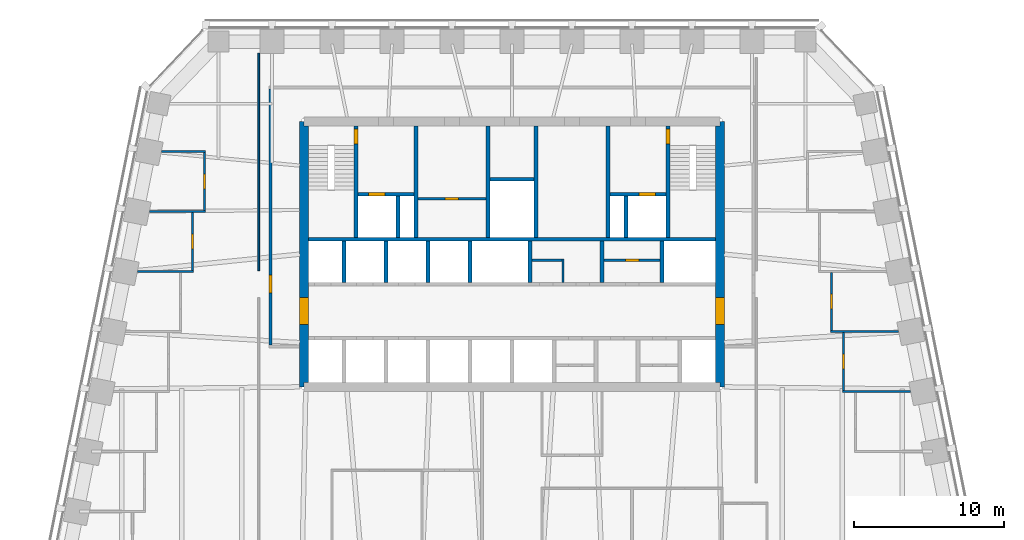
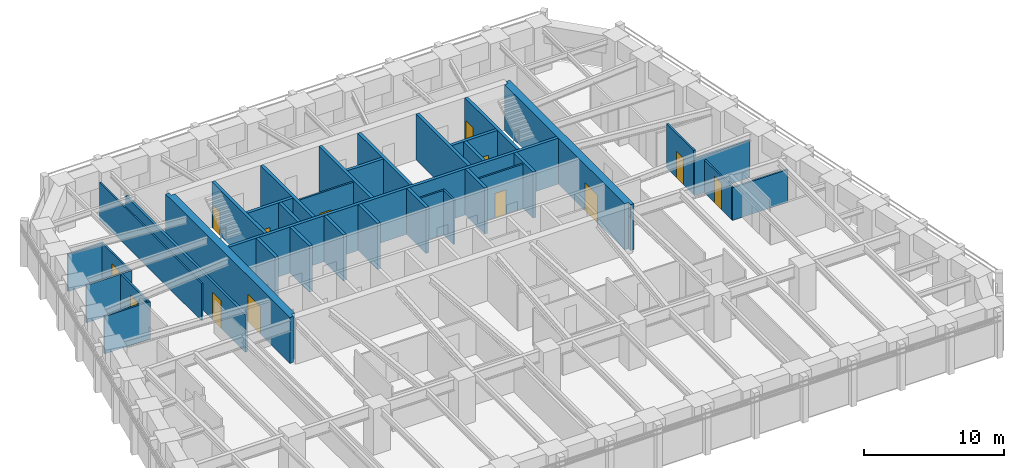
# One storey, part 7 of 10: 36 walls, 13 doors, 13 openings.
"""IFC4 building model written with IfcOpenShell, lengths in metres."""

import ifcopenshell
import ifcopenshell.guid

model = None  # the IFC model being written
_history = None  # IfcOwnerHistory: only IFC2X3 demands one
_inside = {}  # id of a spatial element -> (the spatial element, [elements in it])
_under = {}  # id of a project, library or spatial element -> (it, [spatial elements below it])
_declared = {}  # id of a project -> (the project, [libraries it declares])
_typed = {}  # id of a type object -> (the type object, [elements of that type])
_made_of = {}  # id of a material, layer set ... -> (it, [elements and type objects made of it])


def new_model(schema):
    """Start an empty IFC model of exactly this schema.

    Asked for "IFC4X3", IfcOpenShell would pick the latest addendum, in which some entities
    have other attributes; the version numbers below select the first issue.
    IFC2X3 requires an IfcOwnerHistory on every rooted entity: one is made here for all.
    """
    global model, _history
    if schema == "IFC4X3":
        model = ifcopenshell.file(schema_version=(4, 3, 0, 0))
    else:
        model = ifcopenshell.file(schema=schema)
    _inside.clear()
    _under.clear()
    _declared.clear()
    _typed.clear()
    _made_of.clear()
    _history = None
    if model.schema == "IFC2X3":
        org = make("IfcOrganization", Name="unknown")
        user = make(
            "IfcPersonAndOrganization",
            ThePerson=make("IfcPerson", FamilyName="unknown"),
            TheOrganization=org,
        )
        app = make(
            "IfcApplication",
            ApplicationDeveloper=org,
            Version="unknown",
            ApplicationFullName="unknown",
            ApplicationIdentifier="unknown",
        )
        _history = make(
            "IfcOwnerHistory",
            OwningUser=user,
            OwningApplication=app,
            ChangeAction="ADDED",
            CreationDate=0,
        )
    return model


def make(cls, **values):
    """One entity of the class cls with the attributes given. An attribute that is None is left unset."""
    return model.create_entity(
        cls, **{name: value for name, value in values.items() if value is not None}
    )


def rooted(cls, **values):
    """An entity with a GlobalId (a new one), such as an element, a storey or a relation."""
    return make(cls, GlobalId=ifcopenshell.guid.new(), OwnerHistory=_history, **values)


def si_unit(unit_type, name, prefix=None):
    """IfcSIUnit, for example si_unit("LENGTHUNIT", "METRE", prefix="MILLI")."""
    return make("IfcSIUnit", UnitType=unit_type, Prefix=prefix, Name=name)


def assignment(units):
    """IfcUnitAssignment: the units of a project."""
    return None if units is None else make("IfcUnitAssignment", Units=units)


def point(xyz):
    """IfcCartesianPoint."""
    return None if xyz is None else make("IfcCartesianPoint", Coordinates=xyz)


def direction(xyz):
    """IfcDirection."""
    return None if xyz is None else make("IfcDirection", DirectionRatios=xyz)


def frame(location, z_axis=None, x_axis=None):
    """IfcAxis2Placement3D, a coordinate frame: its origin and axes. An axis left out is left unset."""
    return make(
        "IfcAxis2Placement3D",
        Location=point(location),
        Axis=direction(z_axis),
        RefDirection=direction(x_axis),
    )


def frame_2d(location, x_axis=None):
    """IfcAxis2Placement2D, a coordinate frame in the plane: its origin and x axis."""
    return make(
        "IfcAxis2Placement2D", Location=point(location), RefDirection=direction(x_axis)
    )


def origin():
    """The frame at (0, 0, 0) with its axes left unset."""
    return frame((0.0, 0.0, 0.0))


def place(relative_to, where):
    """IfcLocalPlacement: puts the frame where relative to a parent placement (None: the world)."""
    return make(
        "IfcLocalPlacement", PlacementRelTo=relative_to, RelativePlacement=where
    )


def context(
    kind, dimensions, precision=None, world=None, true_north=None, identifier=None
):
    """IfcGeometricRepresentationContext, for example the 3D "Model" context."""
    return make(
        "IfcGeometricRepresentationContext",
        ContextIdentifier=identifier,
        ContextType=kind,
        CoordinateSpaceDimension=dimensions,
        Precision=precision,
        WorldCoordinateSystem=world,
        TrueNorth=true_north,
    )


def subcontext(parent, identifier, kind, view, scale=None):
    """IfcGeometricRepresentationSubContext, for example "Body" below "Model"."""
    return make(
        "IfcGeometricRepresentationSubContext",
        ContextIdentifier=identifier,
        ContextType=kind,
        ParentContext=parent,
        TargetScale=scale,
        TargetView=view,
    )


def project(units=None, contexts=None):
    """IfcProject with its units and contexts."""
    return rooted(
        "IfcProject",
        Name="project",
        RepresentationContexts=contexts,
        UnitsInContext=assignment(units),
    )


def spatial(cls, under=None, at=None, **own):
    """A site, building, storey or space (cls), placed at a placement, below another one or the project."""
    s = rooted(cls, ObjectPlacement=at, **own)
    if under is not None:
        _under.setdefault(under.id(), (under, []))[1].append(s)
    return s


def polyline(points):
    """IfcPolyline through the points."""
    return make("IfcPolyline", Points=[point(p) for p in points])


def profile(cls, at=None, kind="AREA", **sizes):
    """A parametric profile (cls). Its sizes go by their IFC names, for example OverallWidth=200.0."""
    return make(cls, ProfileType=kind, Position=at, **sizes)


def rectangle(**sizes):
    """IfcRectangleProfileDef."""
    return profile("IfcRectangleProfileDef", **sizes)


def outline(outer, holes=None, kind="AREA"):
    """IfcArbitraryClosedProfileDef: a profile drawn as a closed curve; with holes, ...WithVoids."""
    if holes is None:
        return make("IfcArbitraryClosedProfileDef", ProfileType=kind, OuterCurve=outer)
    return make(
        "IfcArbitraryProfileDefWithVoids",
        ProfileType=kind,
        OuterCurve=outer,
        InnerCurves=holes,
    )


def extrude(swept, where, along, depth):
    """IfcExtrudedAreaSolid: the profile swept, set in the frame where, extruded along a direction by depth."""
    return make(
        "IfcExtrudedAreaSolid",
        SweptArea=swept,
        Position=where,
        ExtrudedDirection=direction(along),
        Depth=depth,
    )


def shape(context_of_items, identifier, shape_type, items):
    """IfcShapeRepresentation: the items that make up one representation, for example the "Body"."""
    return make(
        "IfcShapeRepresentation",
        ContextOfItems=context_of_items,
        RepresentationIdentifier=identifier,
        RepresentationType=shape_type,
        Items=items,
    )


def material(Name=None, Category=None):
    """IfcMaterial."""
    return make("IfcMaterial", Name=Name, Category=Category)


def layer(
    of_material, thickness, ventilated=None, Name=None, Category=None, Priority=None
):
    """IfcMaterialLayer: one layer of a wall or slab, of a material (None: an air gap)."""
    return make(
        "IfcMaterialLayer",
        Material=of_material,
        LayerThickness=thickness,
        IsVentilated=ventilated,
        Name=Name,
        Category=Category,
        Priority=Priority,
    )


def layer_set(layers, Name=None):
    """IfcMaterialLayerSet."""
    return make("IfcMaterialLayerSet", MaterialLayers=layers, LayerSetName=Name)


def made_of(thing, what):
    """Note that an element or type object is made of a material, layer set ...; save() writes the relation."""
    if what is not None:
        _made_of.setdefault(what.id(), (what, []))[1].append(thing)
    return thing


def type_object(cls, material=None, **own):
    """A type object (cls), such as IfcWallType, which elements share."""
    return made_of(rooted(cls, **own), material)


def element(
    cls,
    number,
    at=None,
    inside=None,
    cuts=None,
    type_object=None,
    material=None,
    context=None,
    identifier="Body",
    shape_type=None,
    held_by="IfcProductDefinitionShape",
    body=None,
    shapes=None,
    **own,
):
    """One element of the class cls, such as IfcWall. Its Tag is "e" and its number.

    at: its placement. inside: the storey or other place that contains it. cuts: it is an
    opening in that element (IfcRelVoidsElement). A single representation is given by context,
    identifier, shape_type and body (its items); several are given by shapes. held_by: the class
    of the entity that holds the representations. save() writes the other relations.
    """
    e = rooted(cls, Tag="e%d" % number, ObjectPlacement=at, **own)
    if body is not None:
        shapes = [shape(context, identifier, shape_type, body)]
    if shapes is not None:
        e.Representation = make(held_by, Representations=shapes)
    if inside is not None:
        _inside.setdefault(inside.id(), (inside, []))[1].append(e)
    if cuts is not None:
        rooted(
            "IfcRelVoidsElement", RelatingBuildingElement=cuts, RelatedOpeningElement=e
        )
    if type_object is not None:
        _typed.setdefault(type_object.id(), (type_object, []))[1].append(e)
    return made_of(e, material)


def fill(opening, filler):
    """IfcRelFillsElement: the door or window that sits in an opening."""
    return rooted(
        "IfcRelFillsElement",
        RelatingOpeningElement=opening,
        RelatedBuildingElement=filler,
    )


def aggregate(whole, parts):
    """IfcRelAggregates: a whole, such as a stair, and the parts it consists of."""
    return rooted("IfcRelAggregates", RelatingObject=whole, RelatedObjects=parts)


def save(model, path):
    """Write the relations noted so far, then the file.

    IfcRelAggregates (storeys below a building ...), IfcRelContainedInSpatialStructure (elements
    in a storey), IfcRelDefinesByType, IfcRelAssociatesMaterial and IfcRelDeclares: one each for
    every whole, place, type object, material and project.
    """
    for whole, parts in _under.values():
        aggregate(whole, parts)
    for where, things in _inside.values():
        rooted(
            "IfcRelContainedInSpatialStructure",
            RelatedElements=things,
            RelatingStructure=where,
        )
    for kind, things in _typed.values():
        rooted("IfcRelDefinesByType", RelatedObjects=things, RelatingType=kind)
    for what, things in _made_of.values():
        rooted("IfcRelAssociatesMaterial", RelatedObjects=things, RelatingMaterial=what)
    for by, libraries in _declared.values():
        rooted("IfcRelDeclares", RelatingContext=by, RelatedDefinitions=libraries)
    model.write(path)


model = new_model("IFC4")

# Units and contexts
model_context = context("Model", 3, precision=1e-05, world=origin(), true_north=direction((0.0, 1.0)))
body_context = subcontext(model_context, "Body", "Model", "MODEL_VIEW")
ifc_project = project(units=[si_unit("LENGTHUNIT", "METRE"), si_unit("AREAUNIT", "SQUARE_METRE"), si_unit("VOLUMEUNIT", "CUBIC_METRE"), si_unit("PLANEANGLEUNIT", "RADIAN"), si_unit("MASSUNIT", "GRAM", prefix="KILO")], contexts=[model_context])

# Site, building, storey
site_placement = place(None, origin())
site = spatial("IfcSite", under=ifc_project, at=site_placement, CompositionType="ELEMENT")
building_placement = place(site_placement, origin())
building = spatial("IfcBuilding", under=site, at=building_placement, Name="Isbrekke Arena Tower", CompositionType="ELEMENT")
storey_placement = place(building_placement, frame((0.0, 0.0, 194.0)))
storey = spatial("IfcBuildingStorey", under=building, at=storey_placement, Name="L44", CompositionType="ELEMENT", Elevation=194.0)

# Wall, opening, door
ifc_material_1 = material(Name="Concrete B55 (C55/67)", Category="concrete")
ifc_layer_1 = layer(ifc_material_1, 0.60009765625)
ifc_layer_set_1 = layer_set([ifc_layer_1], Name="CW4 CORE WALL 600")
wall_type_1 = type_object("IfcWallType", Name="CW4 CORE WALL 600", PredefinedType="SHEAR", material=ifc_layer_set_1)
wall_1_placement = place(storey_placement, frame((13.85009765625, 6.14990234375, 0.0), z_axis=(0.0, 0.0, 1.0), x_axis=(0.0, 1.0, 0.0)))
wall_1 = element("IfcWall", 1, at=wall_1_placement, inside=storey, type_object=wall_type_1, Name="Core wall E L44", PredefinedType="SHEAR", context=body_context, shape_type="SweptSolid", body=[
    extrude(outline(polyline([(0.0, -0.300048828125), (17.7001953125, -0.300048828125), (17.7001953125, 0.0), (17.400146484375, 0.0), (17.400146484375, 0.300048828125), (0.300048828125, 0.300048828125), (0.300048828125, 0.0), (0.0, 0.0), (0.0, -0.300048828125)])), origin(), (0.0, 0.0, 1.0), 4.0),
])
opening_1_placement = place(wall_1_placement, frame((4.14990234375, 0.0, 0.0)))
opening_1 = element("IfcOpeningElement", 2, at=opening_1_placement, cuts=wall_1, Name="Opening D1", PredefinedType="OPENING", context=body_context, shape_type="SweptSolid", body=[
    extrude(rectangle(XDim=1.800048828125, YDim=2.39990234375, at=frame_2d((0.89990234375, 1.199951171875))), frame((0.0, 0.31494140625, 0.0), z_axis=(0.0, -1.0, 0.0), x_axis=(1.0, 0.0, 0.0)), (0.0, 0.0, 1.0), 0.6298828125),
])
ifc_material_2 = material(Name="Steel-framed glazed fire door", Category="steel")
door_type_1 = type_object("IfcDoorType", Name="D1 CORE LOBBY DOOR 1800 x 2400", OperationType="DOUBLE_DOOR_SINGLE_SWING", PredefinedType="DOOR", material=ifc_material_2)
door_1_placement = place(opening_1_placement, origin())
door_1 = element("IfcDoor", 3, at=door_1_placement, inside=storey, type_object=door_type_1, Name="D1 lift lobby door east L44", OperationType="DOUBLE_DOOR_SINGLE_SWING", OverallHeight=2.39990234375, OverallWidth=1.800048828125, PredefinedType="DOOR", context=body_context, shape_type="SweptSolid", body=[
    extrude(rectangle(XDim=1.800048828125, YDim=2.39990234375, at=frame_2d((0.89990234375, 1.199951171875))), frame((0.0, 0.2998046875, 0.0), z_axis=(0.0, -1.0, 0.0), x_axis=(1.0, 0.0, 0.0)), (0.0, 0.0, 1.0), 0.599609375),
])
fill(opening_1, door_1)

wall_2_placement = place(storey_placement, frame((-13.85009765625, 23.85009765625, 0.0), z_axis=(0.0, 0.0, 1.0), x_axis=(0.0, -1.0, 0.0)))
wall_2 = element("IfcWall", 4, at=wall_2_placement, inside=storey, type_object=wall_type_1, Name="Core wall W L44", PredefinedType="SHEAR", context=body_context, shape_type="SweptSolid", body=[
    extrude(outline(polyline([(0.0, -0.300048828125), (17.7001953125, -0.300048828125), (17.7001953125, 0.0), (17.400146484375, 0.0), (17.400146484375, 0.300048828125), (0.300048828125, 0.300048828125), (0.300048828125, 0.0), (0.0, 0.0), (0.0, -0.300048828125)])), origin(), (0.0, 0.0, 1.0), 4.0),
])
opening_2_placement = place(wall_2_placement, frame((11.75, 0.0, 0.0)))
opening_2 = element("IfcOpeningElement", 5, at=opening_2_placement, cuts=wall_2, Name="Opening D1", PredefinedType="OPENING", context=body_context, shape_type="SweptSolid", body=[
    extrude(rectangle(XDim=1.800048828125, YDim=2.39990234375, at=frame_2d((0.89990234375, 1.199951171875))), frame((0.0, 0.31494140625, 0.0), z_axis=(0.0, -1.0, 0.0), x_axis=(1.0, 0.0, 0.0)), (0.0, 0.0, 1.0), 0.6298828125),
])
door_2_placement = place(opening_2_placement, origin())
door_2 = element("IfcDoor", 6, at=door_2_placement, inside=storey, type_object=door_type_1, Name="D1 lift lobby door west L44", OperationType="DOUBLE_DOOR_SINGLE_SWING", OverallHeight=2.39990234375, OverallWidth=1.800048828125, PredefinedType="DOOR", context=body_context, shape_type="SweptSolid", body=[
    extrude(rectangle(XDim=1.800048828125, YDim=2.39990234375, at=frame_2d((0.89990234375, 1.199951171875))), frame((0.0, 0.2998046875, 0.0), z_axis=(0.0, -1.0, 0.0), x_axis=(1.0, 0.0, 0.0)), (0.0, 0.0, 1.0), 0.599609375),
])
fill(opening_2, door_2)

# Walls
ifc_material_3 = material(Name="Concrete B45 (C45/55)", Category="concrete")
ifc_layer_2 = layer(ifc_material_3, 0.25)
ifc_layer_set_2 = layer_set([ifc_layer_2], Name="CW6 SHAFT WALL 250")
wall_type_2 = type_object("IfcWallType", Name="CW6 SHAFT WALL 250", PredefinedType="SHEAR", material=ifc_layer_set_2)
wall_3_placement = place(storey_placement, frame((-13.550048828125, 16.0, 0.0), z_axis=(0.0, 0.0, 1.0), x_axis=(1.0, 0.0, 0.0)))
element("IfcWall", 7, at=wall_3_placement, inside=storey, type_object=wall_type_2, Name="Core wall NB L44", PredefinedType="SHEAR", context=body_context, shape_type="SweptSolid", body=[
    extrude(rectangle(XDim=27.10009765625, YDim=0.25, at=frame_2d((13.550048828125, 0.0))), origin(), (0.0, 0.0, 1.0), 4.0),
])
for number, where, z_axis, x_axis, name in (
    (8, (-11.199951171875, 13.125, 0.0), (0.0, 0.0, 1.0), (0.0, 1.0, 0.0), "Core wall SN01 L44"),
    (9, (-8.39990234375, 13.125, 0.0), (0.0, 0.0, 1.0), (0.0, 1.0, 0.0), "Core wall SN02 L44"),
    (10, (-5.60009765625, 13.125, 0.0), (0.0, 0.0, 1.0), (0.0, 1.0, 0.0), "Core wall SN03 L44"),
    (11, (-2.800048828125, 13.125, 0.0), (0.0, 0.0, 1.0), (0.0, 1.0, 0.0), "Core wall SN04 L44"),
    (12, (1.199951171875, 13.125, 0.0), (0.0, 0.0, 1.0), (0.0, 1.0, 0.0), "Core wall SN05 L44"),
    (13, (6.0, 13.125, 0.0), (0.0, 0.0, 1.0), (0.0, 1.0, 0.0), "Core wall SN06 L44"),
    (14, (10.0, 13.125, 0.0), (0.0, 0.0, 1.0), (0.0, 1.0, 0.0), "Core wall SN07 L44"),
):
    element("IfcWall", number, at=place(storey_placement, frame(where, z_axis=z_axis, x_axis=x_axis)), inside=storey, type_object=wall_type_2, Name=name, PredefinedType="SHEAR", context=body_context, shape_type="SweptSolid", body=[
        extrude(rectangle(XDim=2.75, YDim=0.25, at=frame_2d((1.375, 0.0))), origin(), (0.0, 0.0, 1.0), 4.0),
    ])

# Wall, opening, door
wall_4_placement = place(storey_placement, frame((-10.39990234375, 16.125, 0.0), z_axis=(0.0, 0.0, 1.0), x_axis=(0.0, 1.0, 0.0)))
wall_4 = element("IfcWall", 15, at=wall_4_placement, inside=storey, type_object=wall_type_2, Name="Core wall NV01 L44", PredefinedType="SHEAR", context=body_context, shape_type="SweptSolid", body=[
    extrude(rectangle(XDim=7.425048828125, YDim=0.25, at=frame_2d((3.71240234375, 0.0))), origin(), (0.0, 0.0, 1.0), 4.0),
])
opening_3_placement = place(wall_4_placement, frame((6.22509765625, 0.0, 0.0)))
opening_3 = element("IfcOpeningElement", 16, at=opening_3_placement, cuts=wall_4, Name="Opening D2", PredefinedType="OPENING", context=body_context, shape_type="SweptSolid", body=[
    extrude(rectangle(XDim=1.0, YDim=2.10009765625, at=frame_2d((0.5, 1.050048828125))), frame((0.0, 0.139892578125, 0.0), z_axis=(0.0, -1.0, 0.0), x_axis=(1.0, 0.0, 0.0)), (0.0, 0.0, 1.0), 0.27978515625),
])
ifc_material_4 = material(Name="Steel fire door", Category="steel")
door_type_2 = type_object("IfcDoorType", Name="D2 STAIR DOOR 1000 x 2100", OperationType="SINGLE_SWING_LEFT", PredefinedType="DOOR", material=ifc_material_4)
door_3_placement = place(opening_3_placement, origin())
door_3 = element("IfcDoor", 17, at=door_3_placement, inside=storey, type_object=door_type_2, Name="D2 stair door ST1 L44", OperationType="SINGLE_SWING_LEFT", OverallHeight=2.10009765625, OverallWidth=1.0, PredefinedType="DOOR", context=body_context, shape_type="SweptSolid", body=[
    extrude(rectangle(XDim=1.0, YDim=2.10009765625, at=frame_2d((0.5, 1.050048828125))), frame((0.0, 0.124755859375, 0.0), z_axis=(0.0, -1.0, 0.0), x_axis=(1.0, 0.0, 0.0)), (0.0, 0.0, 1.0), 0.24951171875),
])
fill(opening_3, door_3)

# Walls
for number, where, z_axis, x_axis, name in (
    (18, (-6.39990234375, 16.125, 0.0), (0.0, 0.0, 1.0), (0.0, 1.0, 0.0), "Core wall NV02 L44"),
    (19, (-1.60009765625, 16.125, 0.0), (0.0, 0.0, 1.0), (0.0, 1.0, 0.0), "Core wall NV03 L44"),
    (20, (1.60009765625, 16.125, 0.0), (0.0, 0.0, 1.0), (0.0, 1.0, 0.0), "Core wall NV04 L44"),
    (21, (6.39990234375, 16.125, 0.0), (0.0, 0.0, 1.0), (0.0, 1.0, 0.0), "Core wall NV05 L44"),
):
    element("IfcWall", number, at=place(storey_placement, frame(where, z_axis=z_axis, x_axis=x_axis)), inside=storey, type_object=wall_type_2, Name=name, PredefinedType="SHEAR", context=body_context, shape_type="SweptSolid", body=[
        extrude(rectangle(XDim=7.425048828125, YDim=0.25, at=frame_2d((3.71240234375, 0.0))), origin(), (0.0, 0.0, 1.0), 4.0),
    ])

# Wall, opening, door
wall_5_placement = place(storey_placement, frame((10.39990234375, 16.125, 0.0), z_axis=(0.0, 0.0, 1.0), x_axis=(0.0, 1.0, 0.0)))
wall_5 = element("IfcWall", 22, at=wall_5_placement, inside=storey, type_object=wall_type_2, Name="Core wall NV06 L44", PredefinedType="SHEAR", context=body_context, shape_type="SweptSolid", body=[
    extrude(rectangle(XDim=7.425048828125, YDim=0.25, at=frame_2d((3.71240234375, 0.0))), origin(), (0.0, 0.0, 1.0), 4.0),
])
opening_4_placement = place(wall_5_placement, frame((6.22509765625, 0.0, 0.0)))
opening_4 = element("IfcOpeningElement", 23, at=opening_4_placement, cuts=wall_5, Name="Opening D2", PredefinedType="OPENING", context=body_context, shape_type="SweptSolid", body=[
    extrude(rectangle(XDim=1.0, YDim=2.10009765625, at=frame_2d((0.5, 1.050048828125))), frame((0.0, 0.139892578125, 0.0), z_axis=(0.0, -1.0, 0.0), x_axis=(1.0, 0.0, 0.0)), (0.0, 0.0, 1.0), 0.27978515625),
])
door_4_placement = place(opening_4_placement, origin())
door_4 = element("IfcDoor", 24, at=door_4_placement, inside=storey, type_object=door_type_2, Name="D2 stair door ST2 L44", OperationType="SINGLE_SWING_LEFT", OverallHeight=2.10009765625, OverallWidth=1.0, PredefinedType="DOOR", context=body_context, shape_type="SweptSolid", body=[
    extrude(rectangle(XDim=1.0, YDim=2.10009765625, at=frame_2d((0.5, 1.050048828125))), frame((0.0, 0.124755859375, 0.0), z_axis=(0.0, -1.0, 0.0), x_axis=(1.0, 0.0, 0.0)), (0.0, 0.0, 1.0), 0.24951171875),
])
fill(opening_4, door_4)

wall_6_placement = place(storey_placement, frame((-10.27490234375, 19.0, 0.0), z_axis=(0.0, 0.0, 1.0), x_axis=(1.0, 0.0, 0.0)))
wall_6 = element("IfcWall", 25, at=wall_6_placement, inside=storey, type_object=wall_type_2, Name="Core wall NFW L44", PredefinedType="SHEAR", context=body_context, shape_type="SweptSolid", body=[
    extrude(rectangle(XDim=3.75, YDim=0.25, at=frame_2d((1.875, 0.0))), origin(), (0.0, 0.0, 1.0), 4.0),
])
opening_5_placement = place(wall_6_placement, frame((0.72509765625, 0.0, 0.0)))
opening_5 = element("IfcOpeningElement", 26, at=opening_5_placement, cuts=wall_6, Name="Opening LD2", PredefinedType="OPENING", context=body_context, shape_type="SweptSolid", body=[
    extrude(rectangle(XDim=1.10009765625, YDim=2.10009765625, at=frame_2d((0.550048828125, 1.050048828125))), frame((0.0, 0.139892578125, 0.0), z_axis=(0.0, -1.0, 0.0), x_axis=(1.0, 0.0, 0.0)), (0.0, 0.0, 1.0), 0.27978515625),
])
ifc_material_5 = material(Name="Stainless steel lift landing door", Category="steel")
door_type_3 = type_object("IfcDoorType", Name="LD2 FIRE-FIGHTING LIFT LANDING DOOR 1100 x 2100", OperationType="SLIDING_TO_RIGHT", PredefinedType="DOOR", material=ifc_material_5)
door_5_placement = place(opening_5_placement, origin())
door_5 = element("IfcDoor", 27, at=door_5_placement, inside=storey, type_object=door_type_3, Name="LD2 lift landing door LF L44", OperationType="SLIDING_TO_RIGHT", OverallHeight=2.10009765625, OverallWidth=1.10009765625, PredefinedType="DOOR", context=body_context, shape_type="SweptSolid", body=[
    extrude(rectangle(XDim=1.10009765625, YDim=2.10009765625, at=frame_2d((0.550048828125, 1.050048828125))), frame((0.0, 0.124755859375, 0.0), z_axis=(0.0, -1.0, 0.0), x_axis=(1.0, 0.0, 0.0)), (0.0, 0.0, 1.0), 0.24951171875),
])
fill(opening_5, door_5)

wall_7_placement = place(storey_placement, frame((6.52490234375, 19.0, 0.0), z_axis=(0.0, 0.0, 1.0), x_axis=(1.0, 0.0, 0.0)))
wall_7 = element("IfcWall", 28, at=wall_7_placement, inside=storey, type_object=wall_type_2, Name="Core wall NFE L44", PredefinedType="SHEAR", context=body_context, shape_type="SweptSolid", body=[
    extrude(rectangle(XDim=3.75, YDim=0.25, at=frame_2d((1.875, 0.0))), origin(), (0.0, 0.0, 1.0), 4.0),
])
opening_6_placement = place(wall_7_placement, frame((1.925048828125, 0.0, 0.0)))
opening_6 = element("IfcOpeningElement", 29, at=opening_6_placement, cuts=wall_7, Name="Opening LD2", PredefinedType="OPENING", context=body_context, shape_type="SweptSolid", body=[
    extrude(rectangle(XDim=1.10009765625, YDim=2.10009765625, at=frame_2d((0.550048828125, 1.050048828125))), frame((0.0, 0.139892578125, 0.0), z_axis=(0.0, -1.0, 0.0), x_axis=(1.0, 0.0, 0.0)), (0.0, 0.0, 1.0), 0.27978515625),
])
door_6_placement = place(opening_6_placement, origin())
door_6 = element("IfcDoor", 30, at=door_6_placement, inside=storey, type_object=door_type_3, Name="LD2 lift landing door LF L44", OperationType="SLIDING_TO_RIGHT", OverallHeight=2.10009765625, OverallWidth=1.10009765625, PredefinedType="DOOR", context=body_context, shape_type="SweptSolid", body=[
    extrude(rectangle(XDim=1.10009765625, YDim=2.10009765625, at=frame_2d((0.550048828125, 1.050048828125))), frame((0.0, 0.124755859375, 0.0), z_axis=(0.0, -1.0, 0.0), x_axis=(1.0, 0.0, 0.0)), (0.0, 0.0, 1.0), 0.24951171875),
])
fill(opening_6, door_6)

# Walls
for number, where, z_axis, x_axis, name in (
    (31, (-7.60009765625, 16.125, 0.0), (0.0, 0.0, 1.0), (0.0, 1.0, 0.0), "Core wall NFS1 L44"),
    (32, (7.60009765625, 16.125, 0.0), (0.0, 0.0, 1.0), (0.0, 1.0, 0.0), "Core wall NFS2 L44"),
):
    element("IfcWall", number, at=place(storey_placement, frame(where, z_axis=z_axis, x_axis=x_axis)), inside=storey, type_object=wall_type_2, Name=name, PredefinedType="SHEAR", context=body_context, shape_type="SweptSolid", body=[
        extrude(rectangle(XDim=2.75, YDim=0.25, at=frame_2d((1.375, 0.0))), origin(), (0.0, 0.0, 1.0), 4.0),
    ])
wall_8_placement = place(storey_placement, frame((-1.47509765625, 20.0, 0.0), z_axis=(0.0, 0.0, 1.0), x_axis=(1.0, 0.0, 0.0)))
element("IfcWall", 33, at=wall_8_placement, inside=storey, type_object=wall_type_2, Name="Core wall NWC L44", PredefinedType="SHEAR", context=body_context, shape_type="SweptSolid", body=[
    extrude(rectangle(XDim=2.9501953125, YDim=0.25, at=frame_2d((1.47509765625, 0.0))), origin(), (0.0, 0.0, 1.0), 4.0),
])
ifc_material_6 = material(Name="Gypsum board partition on steel studs", Category="steel")
ifc_layer_3 = layer(ifc_material_6, 0.14990234375)
ifc_layer_set_3 = layer_set([ifc_layer_3], Name="IW1 PARTITION 150")
wall_type_3 = type_object("IfcWallType", Name="IW1 PARTITION 150", PredefinedType="PARTITIONING", material=ifc_layer_set_3)
wall_9_placement = place(storey_placement, frame((22.02490234375, 5.840087890625, 0.0), z_axis=(0.0, 0.0, 1.0), x_axis=(1.0, 0.0, 0.0)))
element("IfcWall", 34, at=wall_9_placement, inside=storey, type_object=wall_type_3, Name="IW1 partition 150 L44", PredefinedType="PARTITIONING", context=body_context, shape_type="SweptSolid", body=[
    extrude(rectangle(XDim=4.5498046875, YDim=0.14990234375, at=frame_2d((2.27490234375, 0.0))), origin(), (0.0, 0.0, 1.0), 2.842041015625),
])
wall_10_placement = place(storey_placement, frame((21.22509765625, 9.840087890625, 0.0), z_axis=(0.0, 0.0, 1.0), x_axis=(1.0, 0.0, 0.0)))
element("IfcWall", 35, at=wall_10_placement, inside=storey, type_object=wall_type_3, Name="IW1 partition 150 L44", PredefinedType="PARTITIONING", context=body_context, shape_type="SweptSolid", body=[
    extrude(rectangle(XDim=4.5498046875, YDim=0.14990234375, at=frame_2d((2.27490234375, 0.0))), origin(), (0.0, 0.0, 1.0), 3.25),
])
for number, where, z_axis, x_axis, name in (
    (36, (-24.974853515625, 13.840087890625, 0.0), (0.0, 0.0, 1.0), (1.0, 0.0, 0.0), "IW1 partition 150 L44"),
    (37, (-24.1748046875, 17.840087890625, 0.0), (0.0, 0.0, 1.0), (1.0, 0.0, 0.0), "IW1 partition 150 L44"),
):
    element("IfcWall", number, at=place(storey_placement, frame(where, z_axis=z_axis, x_axis=x_axis)), inside=storey, type_object=wall_type_3, Name=name, PredefinedType="PARTITIONING", context=body_context, shape_type="SweptSolid", body=[
        extrude(rectangle(XDim=3.749755859375, YDim=0.14990234375, at=frame_2d((1.875, 0.0))), origin(), (0.0, 0.0, 1.0), 3.25),
    ])
wall_11_placement = place(storey_placement, frame((-23.374755859375, 21.840087890625, 0.0), z_axis=(0.0, 0.0, 1.0), x_axis=(1.0, 0.0, 0.0)))
element("IfcWall", 38, at=wall_11_placement, inside=storey, type_object=wall_type_3, Name="IW1 partition 150 L44", PredefinedType="PARTITIONING", context=body_context, shape_type="SweptSolid", body=[
    extrude(rectangle(XDim=2.94970703125, YDim=0.14990234375, at=frame_2d((1.474853515625, 0.0))), origin(), (0.0, 0.0, 1.0), 3.25),
])

# Wall, opening, door
wall_12_placement = place(storey_placement, frame((-21.300048828125, 13.9150390625, 0.0), z_axis=(0.0, 0.0, 1.0), x_axis=(0.0, 1.0, 0.0)))
wall_12 = element("IfcWall", 39, at=wall_12_placement, inside=storey, type_object=wall_type_3, Name="IW1 partition 150 L44", PredefinedType="PARTITIONING", context=body_context, shape_type="SweptSolid", body=[
    extrude(rectangle(XDim=3.849853515625, YDim=0.14990234375, at=frame_2d((1.9248046875, 0.0))), origin(), (0.0, 0.0, 1.0), 3.25),
])
opening_7_placement = place(wall_12_placement, frame((1.425048828125, 0.0, 0.0)))
opening_7 = element("IfcOpeningElement", 40, at=opening_7_placement, cuts=wall_12, Name="Opening D10", PredefinedType="OPENING", context=body_context, shape_type="SweptSolid", body=[
    extrude(rectangle(XDim=1.0, YDim=2.300048828125, at=frame_2d((0.5, 1.14990234375))), frame((0.0, 0.08984375, 0.0), z_axis=(0.0, -1.0, 0.0), x_axis=(1.0, 0.0, 0.0)), (0.0, 0.0, 1.0), 0.1796875),
])
ifc_material_7 = material(Name="Timber door", Category="wood")
door_type_4 = type_object("IfcDoorType", Name="D10 OFFICE DOOR 1000 x 2300", OperationType="SINGLE_SWING_LEFT", PredefinedType="DOOR", material=ifc_material_7)
door_7_placement = place(opening_7_placement, origin())
door_7 = element("IfcDoor", 41, at=door_7_placement, inside=storey, type_object=door_type_4, Name="D10 office door L44", OperationType="SINGLE_SWING_LEFT", OverallHeight=2.300048828125, OverallWidth=1.0, PredefinedType="DOOR", context=body_context, shape_type="SweptSolid", body=[
    extrude(rectangle(XDim=1.0, YDim=2.300048828125, at=frame_2d((0.5, 1.14990234375))), frame((0.0, 0.07470703125, 0.0), z_axis=(0.0, -1.0, 0.0), x_axis=(1.0, 0.0, 0.0)), (0.0, 0.0, 1.0), 0.1494140625),
])
fill(opening_7, door_7)

wall_13_placement = place(storey_placement, frame((-20.5, 17.9150390625, 0.0), z_axis=(0.0, 0.0, 1.0), x_axis=(0.0, 1.0, 0.0)))
wall_13 = element("IfcWall", 42, at=wall_13_placement, inside=storey, type_object=wall_type_3, Name="IW1 partition 150 L44", PredefinedType="PARTITIONING", context=body_context, shape_type="SweptSolid", body=[
    extrude(rectangle(XDim=3.849853515625, YDim=0.14990234375, at=frame_2d((1.9248046875, 0.0))), origin(), (0.0, 0.0, 1.0), 3.25),
])
opening_8_placement = place(wall_13_placement, frame((1.425048828125, 0.0, 0.0)))
opening_8 = element("IfcOpeningElement", 43, at=opening_8_placement, cuts=wall_13, Name="Opening D10", PredefinedType="OPENING", context=body_context, shape_type="SweptSolid", body=[
    extrude(rectangle(XDim=1.0, YDim=2.300048828125, at=frame_2d((0.5, 1.14990234375))), frame((0.0, 0.08984375, 0.0), z_axis=(0.0, -1.0, 0.0), x_axis=(1.0, 0.0, 0.0)), (0.0, 0.0, 1.0), 0.1796875),
])
door_8_placement = place(opening_8_placement, origin())
door_8 = element("IfcDoor", 44, at=door_8_placement, inside=storey, type_object=door_type_4, Name="D10 office door L44", OperationType="SINGLE_SWING_LEFT", OverallHeight=2.300048828125, OverallWidth=1.0, PredefinedType="DOOR", context=body_context, shape_type="SweptSolid", body=[
    extrude(rectangle(XDim=1.0, YDim=2.300048828125, at=frame_2d((0.5, 1.14990234375))), frame((0.0, 0.07470703125, 0.0), z_axis=(0.0, -1.0, 0.0), x_axis=(1.0, 0.0, 0.0)), (0.0, 0.0, 1.0), 0.1494140625),
])
fill(opening_8, door_8)

wall_14_placement = place(storey_placement, frame((21.300048828125, 9.9150390625, 0.0), z_axis=(0.0, 0.0, 1.0), x_axis=(0.0, 1.0, 0.0)))
wall_14 = element("IfcWall", 45, at=wall_14_placement, inside=storey, type_object=wall_type_3, Name="IW1 partition 150 L44", PredefinedType="PARTITIONING", context=body_context, shape_type="SweptSolid", body=[
    extrude(rectangle(XDim=3.849853515625, YDim=0.14990234375, at=frame_2d((1.9248046875, 0.0))), origin(), (0.0, 0.0, 1.0), 3.85009765625),
])
opening_9_placement = place(wall_14_placement, frame((1.425048828125, 0.0, 0.0)))
opening_9 = element("IfcOpeningElement", 46, at=opening_9_placement, cuts=wall_14, Name="Opening D10", PredefinedType="OPENING", context=body_context, shape_type="SweptSolid", body=[
    extrude(rectangle(XDim=1.0, YDim=2.300048828125, at=frame_2d((0.5, 1.14990234375))), frame((0.0, 0.08984375, 0.0), z_axis=(0.0, -1.0, 0.0), x_axis=(1.0, 0.0, 0.0)), (0.0, 0.0, 1.0), 0.1796875),
])
door_9_placement = place(opening_9_placement, origin())
door_9 = element("IfcDoor", 47, at=door_9_placement, inside=storey, type_object=door_type_4, Name="D10 office door L44", OperationType="SINGLE_SWING_LEFT", OverallHeight=2.300048828125, OverallWidth=1.0, PredefinedType="DOOR", context=body_context, shape_type="SweptSolid", body=[
    extrude(rectangle(XDim=1.0, YDim=2.300048828125, at=frame_2d((0.5, 1.14990234375))), frame((0.0, 0.07470703125, 0.0), z_axis=(0.0, -1.0, 0.0), x_axis=(1.0, 0.0, 0.0)), (0.0, 0.0, 1.0), 0.1494140625),
])
fill(opening_9, door_9)

wall_15_placement = place(storey_placement, frame((22.10009765625, 5.9150390625, 0.0), z_axis=(0.0, 0.0, 1.0), x_axis=(0.0, 1.0, 0.0)))
wall_15 = element("IfcWall", 48, at=wall_15_placement, inside=storey, type_object=wall_type_3, Name="IW1 partition 150 L44", PredefinedType="PARTITIONING", context=body_context, shape_type="SweptSolid", body=[
    extrude(rectangle(XDim=3.849853515625, YDim=0.14990234375, at=frame_2d((1.9248046875, 0.0))), origin(), (0.0, 0.0, 1.0), 2.842041015625),
])
opening_10_placement = place(wall_15_placement, frame((1.425048828125, 0.0, 0.0)))
opening_10 = element("IfcOpeningElement", 49, at=opening_10_placement, cuts=wall_15, Name="Opening D10", PredefinedType="OPENING", context=body_context, shape_type="SweptSolid", body=[
    extrude(rectangle(XDim=1.0, YDim=2.300048828125, at=frame_2d((0.5, 1.14990234375))), frame((0.0, 0.08984375, 0.0), z_axis=(0.0, -1.0, 0.0), x_axis=(1.0, 0.0, 0.0)), (0.0, 0.0, 1.0), 0.1796875),
])
door_10_placement = place(opening_10_placement, origin())
door_10 = element("IfcDoor", 50, at=door_10_placement, inside=storey, type_object=door_type_4, Name="D10 office door L44", OperationType="SINGLE_SWING_LEFT", OverallHeight=2.300048828125, OverallWidth=1.0, PredefinedType="DOOR", context=body_context, shape_type="SweptSolid", body=[
    extrude(rectangle(XDim=1.0, YDim=2.300048828125, at=frame_2d((0.5, 1.14990234375))), frame((0.0, 0.07470703125, 0.0), z_axis=(0.0, -1.0, 0.0), x_axis=(1.0, 0.0, 0.0)), (0.0, 0.0, 1.0), 0.1494140625),
])
fill(opening_10, door_10)

# Wall
ifc_material_8 = material(Name="Frameless glazed partition, laminated acoustic glass", Category="glass")
ifc_layer_4 = layer(ifc_material_8, 0.1201171875)
ifc_layer_set_4 = layer_set([ifc_layer_4], Name="IW2 GLAZED PARTITION 120")
wall_type_4 = type_object("IfcWallType", Name="IW2 GLAZED PARTITION 120", PredefinedType="PARTITIONING", material=ifc_layer_set_4)
wall_16_placement = place(storey_placement, frame((-16.888916015625, 13.89990234375, 0.0), z_axis=(0.0, 0.0, 1.0), x_axis=(0.0, 1.0, 0.0)))
element("IfcWall", 51, at=wall_16_placement, inside=storey, type_object=wall_type_4, Name="IW2 glazed partition 120 L44", PredefinedType="PARTITIONING", context=body_context, shape_type="SweptSolid", body=[
    extrude(rectangle(XDim=14.5, YDim=0.1201171875, at=frame_2d((7.25, 0.0))), origin(), (0.0, 0.0, 1.0), 3.25),
])

# Wall, opening, door
ifc_material_9 = material(Name="Gypsum board fire-cell wall on steel studs, two layers each side", Category="steel")
ifc_layer_5 = layer(ifc_material_9, 0.199951171875)
ifc_layer_set_5 = layer_set([ifc_layer_5], Name="IW3 FIRE-CELL WALL 200")
wall_type_5 = type_object("IfcWallType", Name="IW3 FIRE-CELL WALL 200", PredefinedType="PARTITIONING", material=ifc_layer_set_5)
wall_17_placement = place(storey_placement, frame((-16.10009765625, 8.949951171875, 0.0), z_axis=(0.0, 0.0, 1.0), x_axis=(0.0, 1.0, 0.0)))
wall_17 = element("IfcWall", 52, at=wall_17_placement, inside=storey, type_object=wall_type_5, Name="IW3 fire-cell wall 200 L44", PredefinedType="PARTITIONING", context=body_context, shape_type="SweptSolid", body=[
    extrude(rectangle(XDim=17.050048828125, YDim=0.199951171875, at=frame_2d((8.52490234375, 0.0))), origin(), (0.0, 0.0, 1.0), 3.25),
])
opening_11_placement = place(wall_17_placement, frame((3.449951171875, 0.0, 0.0)))
opening_11 = element("IfcOpeningElement", 53, at=opening_11_placement, cuts=wall_17, Name="Opening D12", PredefinedType="OPENING", context=body_context, shape_type="SweptSolid", body=[
    extrude(rectangle(XDim=1.199951171875, YDim=2.39990234375, at=frame_2d((0.60009765625, 1.199951171875))), frame((0.0, 0.11474609375, 0.0), z_axis=(0.0, -1.0, 0.0), x_axis=(1.0, 0.0, 0.0)), (0.0, 0.0, 1.0), 0.229736328125),
])
ifc_material_10 = material(Name="Timber fire door with vision panel", Category="wood")
door_type_5 = type_object("IfcDoorType", Name="D12 SUITE ENTRANCE DOOR 1200 x 2400", OperationType="SINGLE_SWING_LEFT", PredefinedType="DOOR", material=ifc_material_10)
door_11_placement = place(opening_11_placement, origin())
door_11 = element("IfcDoor", 54, at=door_11_placement, inside=storey, type_object=door_type_5, Name="D12 suite entrance W door L44", OperationType="SINGLE_SWING_LEFT", OverallHeight=2.39990234375, OverallWidth=1.199951171875, PredefinedType="DOOR", context=body_context, shape_type="SweptSolid", body=[
    extrude(rectangle(XDim=1.199951171875, YDim=2.39990234375, at=frame_2d((0.60009765625, 1.199951171875))), frame((0.0, 0.099609375, 0.0), z_axis=(0.0, -1.0, 0.0), x_axis=(1.0, 0.0, 0.0)), (0.0, 0.0, 1.0), 0.199462890625),
])
fill(opening_11, door_11)

ifc_material_11 = material(Name="Gypsum board fire-rated partition on steel studs, two layers each side", Category="steel")
ifc_layer_6 = layer(ifc_material_11, 0.14990234375)
ifc_layer_set_6 = layer_set([ifc_layer_6], Name="IW5 FIRE-RATED PARTITION 150")
wall_type_6 = type_object("IfcWallType", Name="IW5 FIRE-RATED PARTITION 150", PredefinedType="PARTITIONING", material=ifc_layer_set_6)
wall_18_placement = place(storey_placement, frame((-6.27490234375, 18.699951171875, 0.0), z_axis=(0.0, 0.0, 1.0), x_axis=(1.0, 0.0, 0.0)))
wall_18 = element("IfcWall", 55, at=wall_18_placement, inside=storey, type_object=wall_type_6, Name="IW5 fire-rated partition L44 cleaner's store F", PredefinedType="PARTITIONING", context=body_context, shape_type="SweptSolid", body=[
    extrude(rectangle(XDim=4.5498046875, YDim=0.14990234375, at=frame_2d((2.27490234375, 0.0))), origin(), (0.0, 0.0, 1.0), 3.85009765625),
])
opening_12_placement = place(wall_18_placement, frame((1.824951171875, 0.0, 0.0)))
opening_12 = element("IfcOpeningElement", 56, at=opening_12_placement, cuts=wall_18, Name="Opening D5", PredefinedType="OPENING", context=body_context, shape_type="SweptSolid", body=[
    extrude(rectangle(XDim=0.89990234375, YDim=2.10009765625, at=frame_2d((0.449951171875, 1.050048828125))), frame((0.0, 0.08984375, 0.0), z_axis=(0.0, -1.0, 0.0), x_axis=(1.0, 0.0, 0.0)), (0.0, 0.0, 1.0), 0.1796875),
])
ifc_material_12 = material(Name="Steel fire door", Category="steel")
door_type_6 = type_object("IfcDoorType", Name="D5 SERVICE DOOR 900 x 2100", OperationType="SINGLE_SWING_LEFT", PredefinedType="DOOR", material=ifc_material_12)
door_12_placement = place(opening_12_placement, origin())
door_12 = element("IfcDoor", 57, at=door_12_placement, inside=storey, type_object=door_type_6, Name="D5 cleaner's store door L44", OperationType="SINGLE_SWING_LEFT", OverallHeight=2.10009765625, OverallWidth=0.89990234375, PredefinedType="DOOR", context=body_context, shape_type="SweptSolid", body=[
    extrude(rectangle(XDim=0.89990234375, YDim=2.10009765625, at=frame_2d((0.449951171875, 1.050048828125))), frame((0.0, 0.07470703125, 0.0), z_axis=(0.0, -1.0, 0.0), x_axis=(1.0, 0.0, 0.0)), (0.0, 0.0, 1.0), 0.1494140625),
])
fill(opening_12, door_12)

# Walls
wall_19_placement = place(storey_placement, frame((3.39990234375, 13.125, 0.0), z_axis=(0.0, 0.0, 1.0), x_axis=(0.0, 1.0, 0.0)))
element("IfcWall", 58, at=wall_19_placement, inside=storey, type_object=wall_type_6, Name="IW5 fire-rated partition L44 core service rooms 1", PredefinedType="PARTITIONING", context=body_context, shape_type="SweptSolid", body=[
    extrude(rectangle(XDim=1.550048828125, YDim=0.14990234375, at=frame_2d((0.77490234375, 0.0))), origin(), (0.0, 0.0, 1.0), 3.85009765625),
])
wall_20_placement = place(storey_placement, frame((1.324951171875, 14.60009765625, 0.0), z_axis=(0.0, 0.0, 1.0), x_axis=(1.0, 0.0, 0.0)))
element("IfcWall", 59, at=wall_20_placement, inside=storey, type_object=wall_type_6, Name="IW5 fire-rated partition L44 core service rooms 2", PredefinedType="PARTITIONING", context=body_context, shape_type="SweptSolid", body=[
    extrude(rectangle(XDim=2.0, YDim=0.14990234375, at=frame_2d((1.0, 0.0))), origin(), (0.0, 0.0, 1.0), 3.85009765625),
])

# Wall, opening, door
wall_21_placement = place(storey_placement, frame((6.125, 14.60009765625, 0.0), z_axis=(0.0, 0.0, 1.0), x_axis=(1.0, 0.0, 0.0)))
wall_21 = element("IfcWall", 60, at=wall_21_placement, inside=storey, type_object=wall_type_6, Name="IW5 fire-rated partition L44 core service rooms 3", PredefinedType="PARTITIONING", context=body_context, shape_type="SweptSolid", body=[
    extrude(rectangle(XDim=3.75, YDim=0.14990234375, at=frame_2d((1.875, 0.0))), origin(), (0.0, 0.0, 1.0), 3.85009765625),
])
opening_13_placement = place(wall_21_placement, frame((1.425048828125, 0.0, 0.0)))
opening_13 = element("IfcOpeningElement", 61, at=opening_13_placement, cuts=wall_21, Name="Opening D5", PredefinedType="OPENING", context=body_context, shape_type="SweptSolid", body=[
    extrude(rectangle(XDim=0.89990234375, YDim=2.10009765625, at=frame_2d((0.449951171875, 1.050048828125))), frame((0.0, 0.08984375, 0.0), z_axis=(0.0, -1.0, 0.0), x_axis=(1.0, 0.0, 0.0)), (0.0, 0.0, 1.0), 0.1796875),
])
door_13_placement = place(opening_13_placement, origin())
door_13 = element("IfcDoor", 62, at=door_13_placement, inside=storey, type_object=door_type_6, Name="D5 archive door L44", OperationType="SINGLE_SWING_LEFT", OverallHeight=2.10009765625, OverallWidth=0.89990234375, PredefinedType="DOOR", context=body_context, shape_type="SweptSolid", body=[
    extrude(rectangle(XDim=0.89990234375, YDim=2.10009765625, at=frame_2d((0.449951171875, 1.050048828125))), frame((0.0, 0.07470703125, 0.0), z_axis=(0.0, -1.0, 0.0), x_axis=(1.0, 0.0, 0.0)), (0.0, 0.0, 1.0), 0.1494140625),
])
fill(opening_13, door_13)

save(model, "model.ifc")
